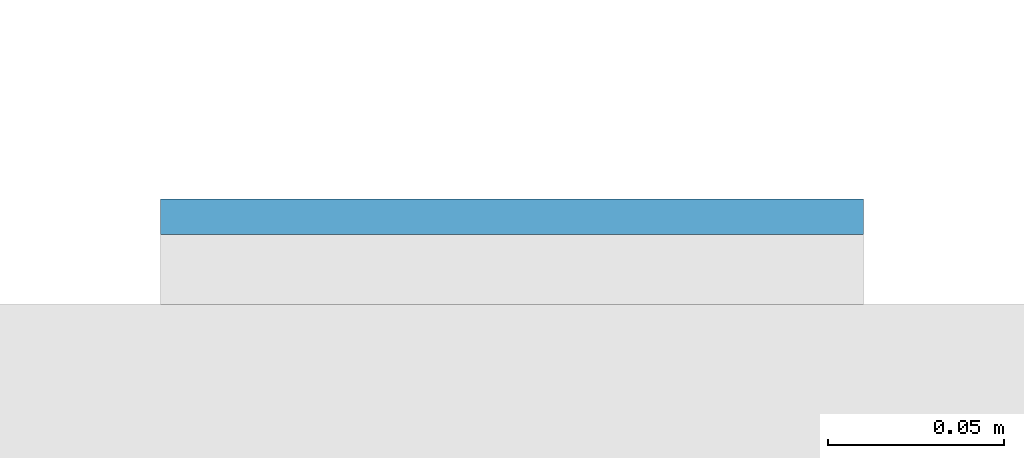
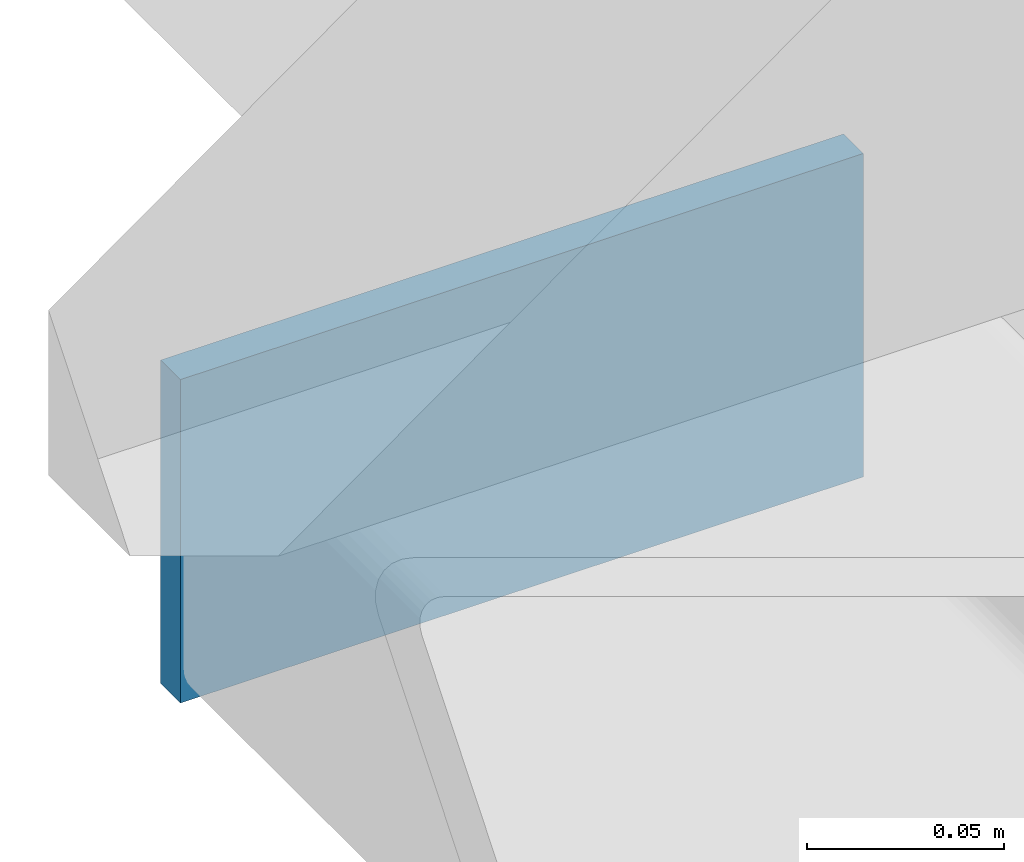
# One storey, part 9 of 20: 1 plate.
"""IFC4 building model written with IfcOpenShell, lengths in metres."""

import ifcopenshell
import ifcopenshell.guid

model = None  # the IFC model being written
_history = None  # IfcOwnerHistory: only IFC2X3 demands one
_inside = {}  # id of a spatial element -> (the spatial element, [elements in it])
_under = {}  # id of a project, library or spatial element -> (it, [spatial elements below it])
_declared = {}  # id of a project -> (the project, [libraries it declares])
_typed = {}  # id of a type object -> (the type object, [elements of that type])
_made_of = {}  # id of a material, layer set ... -> (it, [elements and type objects made of it])


def new_model(schema):
    """Start an empty IFC model of exactly this schema.

    Asked for "IFC4X3", IfcOpenShell would pick the latest addendum, in which some entities
    have other attributes; the version numbers below select the first issue.
    IFC2X3 requires an IfcOwnerHistory on every rooted entity: one is made here for all.
    """
    global model, _history
    if schema == "IFC4X3":
        model = ifcopenshell.file(schema_version=(4, 3, 0, 0))
    else:
        model = ifcopenshell.file(schema=schema)
    _inside.clear()
    _under.clear()
    _declared.clear()
    _typed.clear()
    _made_of.clear()
    _history = None
    if model.schema == "IFC2X3":
        org = make("IfcOrganization", Name="unknown")
        user = make(
            "IfcPersonAndOrganization",
            ThePerson=make("IfcPerson", FamilyName="unknown"),
            TheOrganization=org,
        )
        app = make(
            "IfcApplication",
            ApplicationDeveloper=org,
            Version="unknown",
            ApplicationFullName="unknown",
            ApplicationIdentifier="unknown",
        )
        _history = make(
            "IfcOwnerHistory",
            OwningUser=user,
            OwningApplication=app,
            ChangeAction="ADDED",
            CreationDate=0,
        )
    return model


def make(cls, **values):
    """One entity of the class cls with the attributes given. An attribute that is None is left unset."""
    return model.create_entity(
        cls, **{name: value for name, value in values.items() if value is not None}
    )


def rooted(cls, **values):
    """An entity with a GlobalId (a new one), such as an element, a storey or a relation."""
    return make(cls, GlobalId=ifcopenshell.guid.new(), OwnerHistory=_history, **values)


def si_unit(unit_type, name, prefix=None):
    """IfcSIUnit, for example si_unit("LENGTHUNIT", "METRE", prefix="MILLI")."""
    return make("IfcSIUnit", UnitType=unit_type, Prefix=prefix, Name=name)


def assignment(units):
    """IfcUnitAssignment: the units of a project."""
    return None if units is None else make("IfcUnitAssignment", Units=units)


def point(xyz):
    """IfcCartesianPoint."""
    return None if xyz is None else make("IfcCartesianPoint", Coordinates=xyz)


def direction(xyz):
    """IfcDirection."""
    return None if xyz is None else make("IfcDirection", DirectionRatios=xyz)


def frame(location, z_axis=None, x_axis=None):
    """IfcAxis2Placement3D, a coordinate frame: its origin and axes. An axis left out is left unset."""
    return make(
        "IfcAxis2Placement3D",
        Location=point(location),
        Axis=direction(z_axis),
        RefDirection=direction(x_axis),
    )


def frame_2d(location, x_axis=None):
    """IfcAxis2Placement2D, a coordinate frame in the plane: its origin and x axis."""
    return make(
        "IfcAxis2Placement2D", Location=point(location), RefDirection=direction(x_axis)
    )


def origin():
    """The frame at (0, 0, 0) with its axes left unset."""
    return frame((0.0, 0.0, 0.0))


def origin_2d():
    """The frame at (0, 0) in the plane with its x axis left unset."""
    return frame_2d((0.0, 0.0))


def place(relative_to, where):
    """IfcLocalPlacement: puts the frame where relative to a parent placement (None: the world)."""
    return make(
        "IfcLocalPlacement", PlacementRelTo=relative_to, RelativePlacement=where
    )


def context(
    kind, dimensions, precision=None, world=None, true_north=None, identifier=None
):
    """IfcGeometricRepresentationContext, for example the 3D "Model" context."""
    return make(
        "IfcGeometricRepresentationContext",
        ContextIdentifier=identifier,
        ContextType=kind,
        CoordinateSpaceDimension=dimensions,
        Precision=precision,
        WorldCoordinateSystem=world,
        TrueNorth=true_north,
    )


def subcontext(parent, identifier, kind, view, scale=None):
    """IfcGeometricRepresentationSubContext, for example "Body" below "Model"."""
    return make(
        "IfcGeometricRepresentationSubContext",
        ContextIdentifier=identifier,
        ContextType=kind,
        ParentContext=parent,
        TargetScale=scale,
        TargetView=view,
    )


def project(units=None, contexts=None):
    """IfcProject with its units and contexts."""
    return rooted(
        "IfcProject",
        Name="project",
        RepresentationContexts=contexts,
        UnitsInContext=assignment(units),
    )


def spatial(cls, under=None, at=None, **own):
    """A site, building, storey or space (cls), placed at a placement, below another one or the project."""
    s = rooted(cls, ObjectPlacement=at, **own)
    if under is not None:
        _under.setdefault(under.id(), (under, []))[1].append(s)
    return s


def profile(cls, at=None, kind="AREA", **sizes):
    """A parametric profile (cls). Its sizes go by their IFC names, for example OverallWidth=200.0."""
    return make(cls, ProfileType=kind, Position=at, **sizes)


def rectangle(**sizes):
    """IfcRectangleProfileDef."""
    return profile("IfcRectangleProfileDef", **sizes)


def extrude(swept, where, along, depth):
    """IfcExtrudedAreaSolid: the profile swept, set in the frame where, extruded along a direction by depth."""
    return make(
        "IfcExtrudedAreaSolid",
        SweptArea=swept,
        Position=where,
        ExtrudedDirection=direction(along),
        Depth=depth,
    )


def shape(context_of_items, identifier, shape_type, items):
    """IfcShapeRepresentation: the items that make up one representation, for example the "Body"."""
    return make(
        "IfcShapeRepresentation",
        ContextOfItems=context_of_items,
        RepresentationIdentifier=identifier,
        RepresentationType=shape_type,
        Items=items,
    )


def material(Name=None, Category=None):
    """IfcMaterial."""
    return make("IfcMaterial", Name=Name, Category=Category)


def layer(
    of_material, thickness, ventilated=None, Name=None, Category=None, Priority=None
):
    """IfcMaterialLayer: one layer of a wall or slab, of a material (None: an air gap)."""
    return make(
        "IfcMaterialLayer",
        Material=of_material,
        LayerThickness=thickness,
        IsVentilated=ventilated,
        Name=Name,
        Category=Category,
        Priority=Priority,
    )


def layer_set(layers, Name=None):
    """IfcMaterialLayerSet."""
    return make("IfcMaterialLayerSet", MaterialLayers=layers, LayerSetName=Name)


def made_of(thing, what):
    """Note that an element or type object is made of a material, layer set ...; save() writes the relation."""
    if what is not None:
        _made_of.setdefault(what.id(), (what, []))[1].append(thing)
    return thing


def type_object(cls, material=None, **own):
    """A type object (cls), such as IfcWallType, which elements share."""
    return made_of(rooted(cls, **own), material)


def element(
    cls,
    number,
    at=None,
    inside=None,
    cuts=None,
    type_object=None,
    material=None,
    context=None,
    identifier="Body",
    shape_type=None,
    held_by="IfcProductDefinitionShape",
    body=None,
    shapes=None,
    **own,
):
    """One element of the class cls, such as IfcWall. Its Tag is "e" and its number.

    at: its placement. inside: the storey or other place that contains it. cuts: it is an
    opening in that element (IfcRelVoidsElement). A single representation is given by context,
    identifier, shape_type and body (its items); several are given by shapes. held_by: the class
    of the entity that holds the representations. save() writes the other relations.
    """
    e = rooted(cls, Tag="e%d" % number, ObjectPlacement=at, **own)
    if body is not None:
        shapes = [shape(context, identifier, shape_type, body)]
    if shapes is not None:
        e.Representation = make(held_by, Representations=shapes)
    if inside is not None:
        _inside.setdefault(inside.id(), (inside, []))[1].append(e)
    if cuts is not None:
        rooted(
            "IfcRelVoidsElement", RelatingBuildingElement=cuts, RelatedOpeningElement=e
        )
    if type_object is not None:
        _typed.setdefault(type_object.id(), (type_object, []))[1].append(e)
    return made_of(e, material)


def aggregate(whole, parts):
    """IfcRelAggregates: a whole, such as a stair, and the parts it consists of."""
    return rooted("IfcRelAggregates", RelatingObject=whole, RelatedObjects=parts)


def save(model, path):
    """Write the relations noted so far, then the file.

    IfcRelAggregates (storeys below a building ...), IfcRelContainedInSpatialStructure (elements
    in a storey), IfcRelDefinesByType, IfcRelAssociatesMaterial and IfcRelDeclares: one each for
    every whole, place, type object, material and project.
    """
    for whole, parts in _under.values():
        aggregate(whole, parts)
    for where, things in _inside.values():
        rooted(
            "IfcRelContainedInSpatialStructure",
            RelatedElements=things,
            RelatingStructure=where,
        )
    for kind, things in _typed.values():
        rooted("IfcRelDefinesByType", RelatedObjects=things, RelatingType=kind)
    for what, things in _made_of.values():
        rooted("IfcRelAssociatesMaterial", RelatedObjects=things, RelatingMaterial=what)
    for by, libraries in _declared.values():
        rooted("IfcRelDeclares", RelatingContext=by, RelatedDefinitions=libraries)
    model.write(path)


model = new_model("IFC4")

# Units and contexts
model_context = context("Model", 3, precision=1e-05, world=origin(), true_north=direction((0.0, 1.0)))
body_context = subcontext(model_context, "Body", "Model", "MODEL_VIEW")
ifc_project = project(units=[si_unit("LENGTHUNIT", "METRE"), si_unit("AREAUNIT", "SQUARE_METRE"), si_unit("VOLUMEUNIT", "CUBIC_METRE"), si_unit("PLANEANGLEUNIT", "RADIAN"), si_unit("MASSUNIT", "GRAM", prefix="KILO")], contexts=[model_context])

# Site, building, storey
site_placement = place(None, origin())
site = spatial("IfcSite", under=ifc_project, at=site_placement, CompositionType="ELEMENT")
building_placement = place(site_placement, origin())
building = spatial("IfcBuilding", under=site, at=building_placement, Name="Cleftline Residences", CompositionType="ELEMENT")
storey_placement = place(building_placement, frame((0.0, 0.0, 80.0)))
storey = spatial("IfcBuildingStorey", under=building, at=storey_placement, Name="L20", CompositionType="ELEMENT", Elevation=80.0)

# Plate
ifc_material = material(Name="Steel S355, hot-dip galvanised", Category="steel")
ifc_layer = layer(ifc_material, 0.010009765625)
ifc_layer_set = layer_set([ifc_layer], Name="BAGUETTE CARRIER END PLATE 200X100X10")
plate_type = type_object("IfcPlateType", Name="BAGUETTE CARRIER END PLATE 200X100X10", PredefinedType="USERDEFINED", material=ifc_layer_set)
plate_placement = place(storey_placement, frame((-0.85009765625, 44.304931640625, -0.10009765625), z_axis=(0.0, 0.0, 1.0), x_axis=(-1.0, 0.0, 0.0)))
element("IfcPlate", 1, at=plate_placement, inside=storey, type_object=plate_type, Name="Baguette carrier end plate", ObjectType="BAGUETTE CARRIER END PLATE", PredefinedType="USERDEFINED", context=body_context, shape_type="SweptSolid", body=[
    extrude(rectangle(XDim=0.199951171875, YDim=0.010009765625, at=origin_2d()), origin(), (0.0, 0.0, 1.0), 0.10009765625),
])

save(model, "model.ifc")
